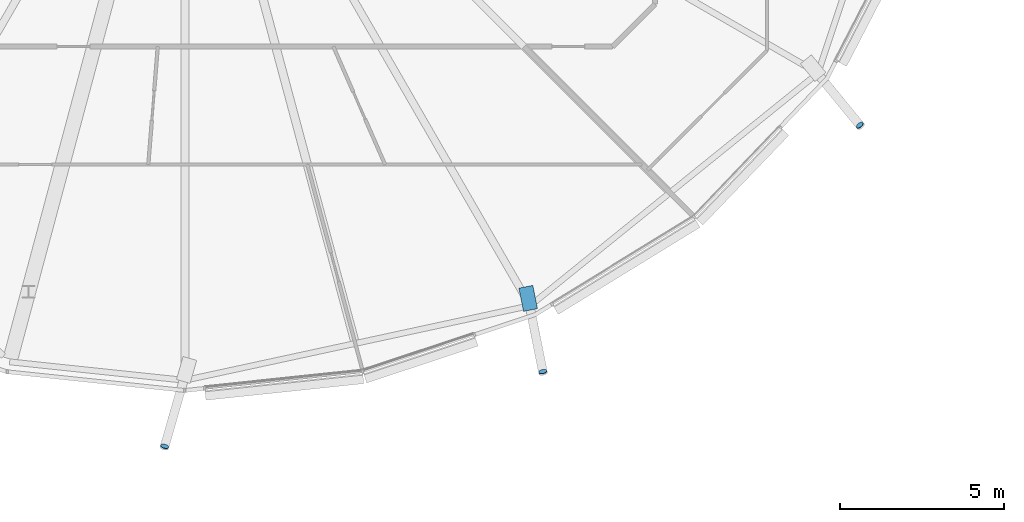
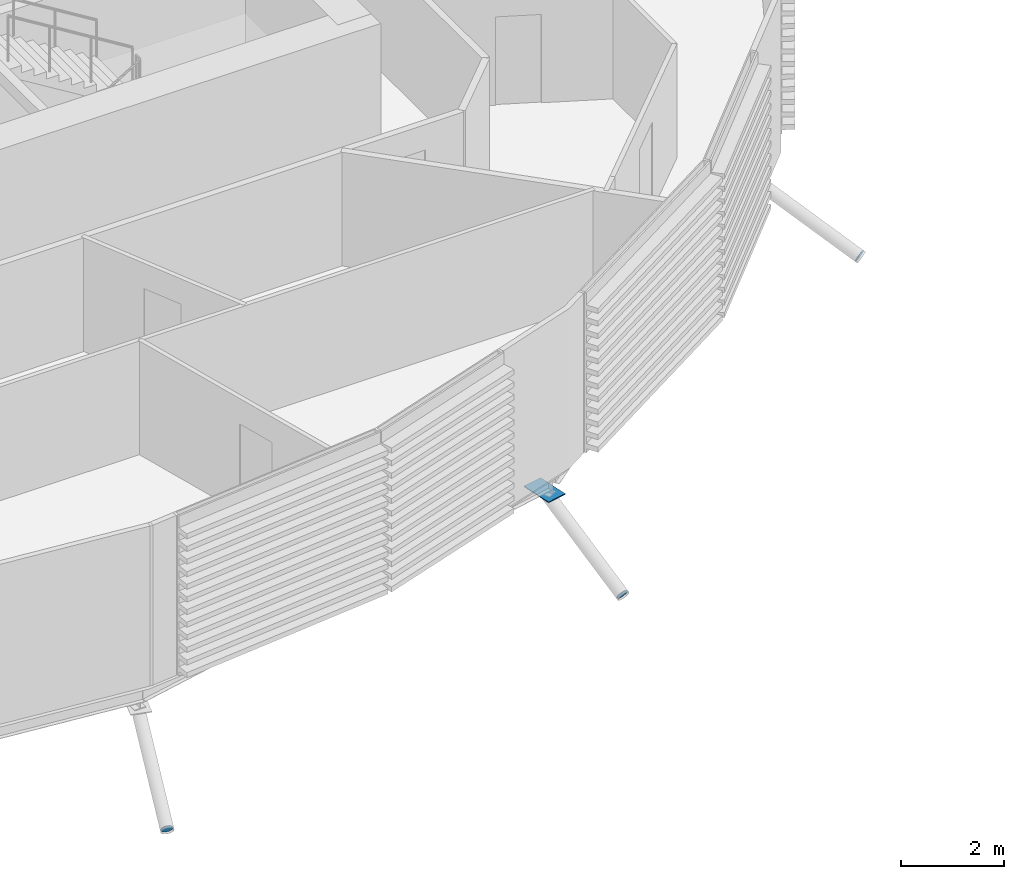
# One storey, part 28 of 38: 4 discrete accessories.
"""IFC4 building model written with IfcOpenShell, lengths in metres."""

from ifc_helpers import new_model, si_unit, direction, frame, origin, origin_2d, place, context, subcontext, project, spatial, polyline, rectangle, circle, outline, extrude, material, material_profile, profile_set, type_object, element, save


model = new_model("IFC4")

# Units and contexts
model_context = context("Model", 3, precision=1e-05, world=origin(), true_north=direction((0.0, 1.0)))
body_context = subcontext(model_context, "Body", "Model", "MODEL_VIEW")
ifc_project = project(units=[si_unit("LENGTHUNIT", "METRE"), si_unit("AREAUNIT", "SQUARE_METRE"), si_unit("VOLUMEUNIT", "CUBIC_METRE"), si_unit("PLANEANGLEUNIT", "RADIAN"), si_unit("MASSUNIT", "GRAM", prefix="KILO")], contexts=[model_context])

# Site, building, storey
site_placement = place(None, origin())
site = spatial("IfcSite", under=ifc_project, at=site_placement, CompositionType="ELEMENT")
building_placement = place(site_placement, origin())
building = spatial("IfcBuilding", under=site, at=building_placement, Name="Rimbun Link Towers", CompositionType="ELEMENT")
storey_placement = place(building_placement, frame((0.0, 0.0, 108.199951171875)))
storey = spatial("IfcBuildingStorey", under=building, at=storey_placement, Name="L26", CompositionType="ELEMENT", Elevation=108.199951171875)

# Discrete accessories
ifc_material_1 = material(Name="Steel S355J2H", Category="steel")
ifc_material_profile_1 = material_profile(ifc_material_1, circle(Radius=0.1240234375, at=origin_2d()), Name="PL D248")
ifc_profile_set_1 = profile_set([ifc_material_profile_1], Name="Steel S355J2H")
discrete_accessory_type_1 = type_object("IfcDiscreteAccessoryType", Name="Link foot sealing plate D248X20", PredefinedType="BRACKET", material=ifc_profile_set_1)
for number, where, z_axis, x_axis, name in (
    (1, (-32.368408203125, -22.5478515625, -2.181640625), (-0.231741784506, -0.841588585838, -0.487877441066), (0.96411602977, -0.265481225589, 0.0), "Link foot sealing plate T1 L26 18"),
    (2, (-20.8251953125, -20.26708984375, -2.03662109375), (0.171088300858, -0.855441504291, -0.488823716738), (0.980580675691, 0.196116135138, 0.0), "Link foot sealing plate T1 L26 20"),
    (3, (-11.14990234375, -12.7421875, -1.94873046875), (0.549557479085, -0.659468974903, -0.512920313813), (0.768221279597, 0.640184399664, 0.0), "Link foot sealing plate T1 L26 22"),
):
    element("IfcDiscreteAccessory", number, at=place(storey_placement, frame(where, z_axis=z_axis, x_axis=x_axis)), inside=storey, type_object=discrete_accessory_type_1, Name=name, PredefinedType="BRACKET", context=body_context, shape_type="SweptSolid", body=[
        extrude(circle(Radius=0.1240234375, at=origin_2d()), origin(), (0.0, 0.0, 1.0), 0.02001953125),
    ])
ifc_material_2 = material(Name="Steel S355J2H", Category="steel")
ifc_material_profile_2 = material_profile(ifc_material_2, rectangle(XDim=0.43310546875, YDim=0.43310546875, at=origin_2d()), Name="PL 433x433")
ifc_profile_set_2 = profile_set([ifc_material_profile_2], Name="Steel S355J2H")
discrete_accessory_type_2 = type_object("IfcDiscreteAccessoryType", Name="Link head end plate 433X20", PredefinedType="BRACKET", material=ifc_profile_set_2)
discrete_accessory_placement = place(storey_placement, frame((0.0, 0.0, -0.782470703125)))
element("IfcDiscreteAccessory", 4, at=discrete_accessory_placement, inside=storey, type_object=discrete_accessory_type_2, Name="Link head end plate T1 L26 20", PredefinedType="BRACKET", context=body_context, shape_type="SweptSolid", body=[
    extrude(outline(polyline([(-21.552978515625, -17.7236328125), (-21.4111328125, -18.434814453125), (-20.986572265625, -18.35009765625), (-21.12841796875, -17.638916015625), (-21.552978515625, -17.7236328125)])), origin(), (0.0, 0.0, 1.0), 0.02001953125),
])

save(model, "model.ifc")
